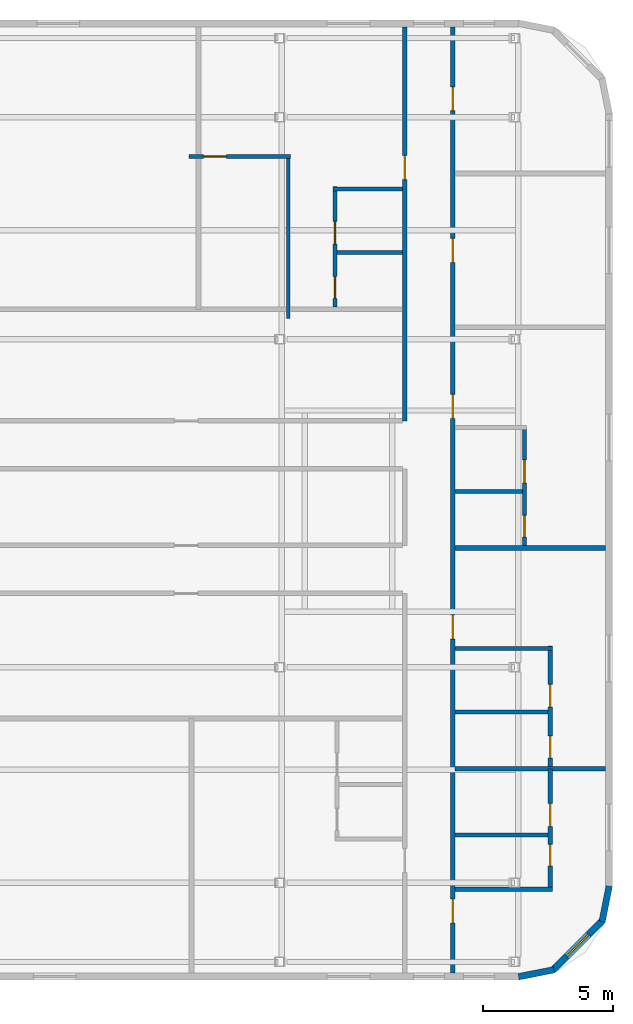
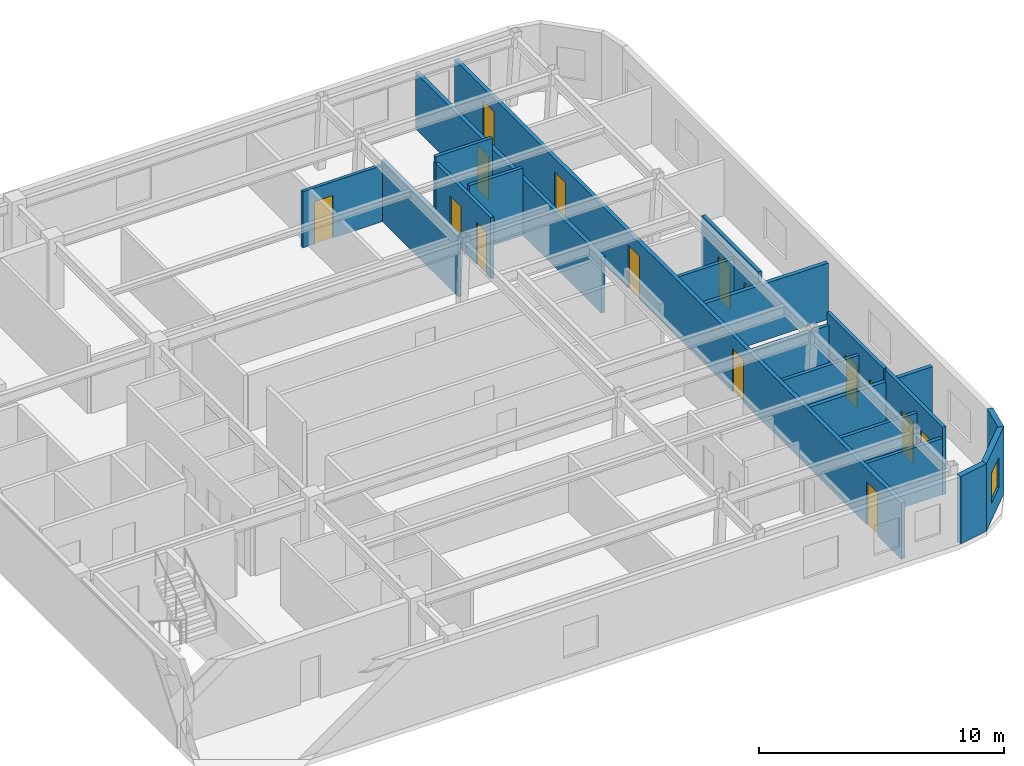
# One storey, part 4 of 6: 20 walls, 15 doors, 1 window, 16 openings.
"""IFC4 building model written with IfcOpenShell, lengths in metres."""

from ifc_helpers import new_model, si_unit, direction, frame, frame_2d, origin, place, context, subcontext, project, spatial, rectangle, extrude, material, layer, layer_set, type_object, element, fill, save


model = new_model("IFC4")

# Units and contexts
model_context = context("Model", 3, precision=1e-05, world=origin(), true_north=direction((0.0, 1.0)))
body_context = subcontext(model_context, "Body", "Model", "MODEL_VIEW")
ifc_project = project(units=[si_unit("LENGTHUNIT", "METRE"), si_unit("AREAUNIT", "SQUARE_METRE"), si_unit("VOLUMEUNIT", "CUBIC_METRE"), si_unit("PLANEANGLEUNIT", "RADIAN"), si_unit("MASSUNIT", "GRAM", prefix="KILO")], contexts=[model_context])

# Site, building, storey
site_placement = place(None, origin())
site = spatial("IfcSite", under=ifc_project, at=site_placement, CompositionType="ELEMENT")
building_placement = place(site_placement, origin())
building = spatial("IfcBuilding", under=site, at=building_placement, Name="Ochreholt Gables", CompositionType="ELEMENT")
storey_placement = place(building_placement, frame((0.0, 0.0, 274.800048828125)))
storey = spatial("IfcBuildingStorey", under=building, at=storey_placement, Name="L72", CompositionType="ELEMENT", Elevation=274.800048828125)

# Wall
ifc_material_1 = material(Name="Precast concrete 40 MPa", Category="concrete")
ifc_layer_1 = layer(ifc_material_1, 0.25, Name="Precast concrete 40 MPa")
ifc_layer_set_1 = layer_set([ifc_layer_1], Name="Precast concrete 40 MPa")
wall_type_1 = type_object("IfcWallType", Name="WALL-EXT-CNR", PredefinedType="SOLIDWALL", material=ifc_layer_set_1)
wall_1_placement = place(storey_placement, frame((58.783447265625, 5.624267578125, 0.0), z_axis=(0.0, 0.0, 1.0), x_axis=(0.980809899341, 0.19496651342, 0.0)))
element("IfcWall", 1, at=wall_1_placement, inside=storey, type_object=wall_type_1, Name="L72 Rounded Corner Wall SE-1", PredefinedType="SOLIDWALL", context=body_context, shape_type="SweptSolid", body=[
    extrude(rectangle(XDim=1.388671875, YDim=0.25, at=frame_2d((0.6943359375, 0.0))), origin(), (0.0, 0.0, 1.0), 3.35986328125),
])

# Wall, opening, window
wall_2_placement = place(storey_placement, frame((60.094970703125, 5.867919921875, 0.0), z_axis=(0.0, 0.0, 1.0), x_axis=(0.707106781187, 0.707106781187, 0.0)))
wall_2 = element("IfcWall", 2, at=wall_2_placement, inside=storey, type_object=wall_type_1, Name="L72 Rounded Corner Wall SE-2", PredefinedType="SOLIDWALL", context=body_context, shape_type="SweptSolid", body=[
    extrude(rectangle(XDim=2.7392578125, YDim=0.25, at=frame_2d((1.36962890625, 0.0))), origin(), (0.0, 0.0, 1.0), 3.35986328125),
])
opening_1_placement = place(wall_2_placement, frame((0.769775390625, 0.0, 0.85009765625)))
opening_1 = element("IfcOpeningElement", 3, at=opening_1_placement, cuts=wall_2, Name="Opening WN-3", PredefinedType="OPENING", context=body_context, shape_type="SweptSolid", body=[
    extrude(rectangle(XDim=1.199951171875, YDim=1.5, at=frame_2d((0.60009765625, 0.75))), frame((0.0, 0.135009765625, 0.0), z_axis=(0.0, -1.0, 0.0), x_axis=(1.0, 0.0, 0.0)), (0.0, 0.0, 1.0), 0.27001953125),
])
ifc_material_2 = material(Name="Triple-Glazed Thermally Broken Aluminium Window", Category="aluminium")
window_type = type_object("IfcWindowType", Name="WIN-RES-1200", PartitioningType="SINGLE_PANEL", PredefinedType="WINDOW", material=ifc_material_2)
window_placement = place(opening_1_placement, origin())
window = element("IfcWindow", 4, at=window_placement, inside=storey, type_object=window_type, Name="L72 Corner Bedroom Window SE", OverallHeight=1.5, OverallWidth=1.199951171875, PartitioningType="SINGLE_PANEL", PredefinedType="WINDOW", context=body_context, shape_type="SweptSolid", body=[
    extrude(rectangle(XDim=1.199951171875, YDim=1.5, at=frame_2d((0.60009765625, 0.75))), frame((0.0, 0.030029296875, 0.0), z_axis=(0.0, -1.0, 0.0), x_axis=(1.0, 0.0, 0.0)), (0.0, 0.0, 1.0), 0.06005859375),
])
fill(opening_1, window)

# Wall
wall_3_placement = place(storey_placement, frame((62.0048828125, 7.75439453125, 0.0), z_axis=(0.0, 0.0, 1.0), x_axis=(0.195135625965, 0.9807762678, 0.0)))
element("IfcWall", 5, at=wall_3_placement, inside=storey, type_object=wall_type_1, Name="L72 Rounded Corner Wall SE-3", PredefinedType="SOLIDWALL", context=body_context, shape_type="SweptSolid", body=[
    extrude(rectangle(XDim=1.388671875, YDim=0.25, at=frame_2d((0.6943359375, 0.0))), origin(), (0.0, 0.0, 1.0), 3.35986328125),
])

# Wall, opening, door
ifc_material_3 = material(Name="Fire-Rated Gypsum Acoustic Partition", Category="gypsum")
ifc_layer_2 = layer(ifc_material_3, 0.179931640625, Name="Fire-Rated Gypsum Acoustic Partition")
ifc_layer_set_2 = layer_set([ifc_layer_2], Name="Fire-Rated Gypsum Acoustic Partition")
wall_type_2 = type_object("IfcWallType", Name="WALL-INT-CR180", PredefinedType="STANDARD", material=ifc_layer_set_2)
wall_4_placement = place(storey_placement, frame((54.39990234375, 27.050048828125, 0.0), z_axis=(0.0, 0.0, 1.0), x_axis=(0.0, 1.0, 0.0)))
wall_4 = element("IfcWall", 6, at=wall_4_placement, inside=storey, type_object=wall_type_2, Name="L72 Interior Wall WI-C3GW4-L72", PredefinedType="STANDARD", context=body_context, shape_type="SweptSolid", body=[
    extrude(rectangle(XDim=15.179931640625, YDim=0.179931640625, at=frame_2d((7.58984375, 0.0))), origin(), (0.0, 0.0, 1.0), 2.802978515625),
])
opening_2_placement = place(wall_4_placement, frame((9.300048828125, 0.0, 0.0)))
opening_2 = element("IfcOpeningElement", 7, at=opening_2_placement, cuts=wall_4, Name="Opening D-UN1", PredefinedType="OPENING", context=body_context, shape_type="SweptSolid", body=[
    extrude(rectangle(XDim=0.919921875, YDim=2.14990234375, at=frame_2d((0.4599609375, 1.074951171875))), frame((0.0, 0.099853515625, 0.0), z_axis=(0.0, -1.0, 0.0), x_axis=(1.0, 0.0, 0.0)), (0.0, 0.0, 1.0), 0.199951171875),
])
ifc_material_4 = material(Name="Engineered Oak Timber", Category="wood")
door_type_1 = type_object("IfcDoorType", Name="DR-INT-UNT920", OperationType="NOTDEFINED", PredefinedType="DOOR", material=ifc_material_4)
door_1_placement = place(opening_2_placement, origin())
door_1 = element("IfcDoor", 8, at=door_1_placement, inside=storey, type_object=door_type_1, Name="L72 Door D-U-L72NM2-ENT", OperationType="SINGLE_SWING_RIGHT", OverallHeight=2.14990234375, OverallWidth=0.919921875, PredefinedType="DOOR", context=body_context, shape_type="SweptSolid", body=[
    extrude(rectangle(XDim=0.919921875, YDim=2.14990234375, at=frame_2d((0.4599609375, 1.074951171875))), frame((0.0, 0.02490234375, 0.0), z_axis=(0.0, -1.0, 0.0), x_axis=(1.0, 0.0, 0.0)), (0.0, 0.0, 1.0), 0.050048828125),
])
fill(opening_2, door_1)

# Wall, openings, doors
wall_5_placement = place(storey_placement, frame((56.25, 5.77001953125, 0.0), z_axis=(0.0, 0.0, 1.0), x_axis=(0.0, 1.0, 0.0)))
wall_5 = element("IfcWall", 9, at=wall_5_placement, inside=storey, type_object=wall_type_2, Name="L72 Interior Wall WI-C3GE-L72", PredefinedType="STANDARD", context=body_context, shape_type="SweptSolid", body=[
    extrude(rectangle(XDim=36.4599609375, YDim=0.179931640625, at=frame_2d((18.22998046875, 0.0))), origin(), (0.0, 0.0, 1.0), 2.802978515625),
])
opening_3_placement = place(wall_5_placement, frame((1.929931640625, 0.0, 0.0)))
opening_3 = element("IfcOpeningElement", 10, at=opening_3_placement, cuts=wall_5, Name="Opening D-UN1", PredefinedType="OPENING", context=body_context, shape_type="SweptSolid", body=[
    extrude(rectangle(XDim=0.919921875, YDim=2.14990234375, at=frame_2d((0.4599609375, 1.074951171875))), frame((0.0, 0.099853515625, 0.0), z_axis=(0.0, -1.0, 0.0), x_axis=(1.0, 0.0, 0.0)), (0.0, 0.0, 1.0), 0.199951171875),
])
opening_4_placement = place(wall_5_placement, frame((12.8701171875, 0.0, 0.0)))
opening_4 = element("IfcOpeningElement", 11, at=opening_4_placement, cuts=wall_5, Name="Opening D-UN1", PredefinedType="OPENING", context=body_context, shape_type="SweptSolid", body=[
    extrude(rectangle(XDim=0.919921875, YDim=2.14990234375, at=frame_2d((0.4599609375, 1.074951171875))), frame((0.0, 0.099853515625, 0.0), z_axis=(0.0, -1.0, 0.0), x_axis=(1.0, 0.0, 0.0)), (0.0, 0.0, 1.0), 0.199951171875),
])
opening_5_placement = place(wall_5_placement, frame((21.3798828125, 0.0, 0.0)))
opening_5 = element("IfcOpeningElement", 12, at=opening_5_placement, cuts=wall_5, Name="Opening D-UN1", PredefinedType="OPENING", context=body_context, shape_type="SweptSolid", body=[
    extrude(rectangle(XDim=0.919921875, YDim=2.14990234375, at=frame_2d((0.4599609375, 1.074951171875))), frame((0.0, 0.099853515625, 0.0), z_axis=(0.0, -1.0, 0.0), x_axis=(1.0, 0.0, 0.0)), (0.0, 0.0, 1.0), 0.199951171875),
])
opening_6_placement = place(wall_5_placement, frame((27.389892578125, 0.0, 0.0)))
opening_6 = element("IfcOpeningElement", 13, at=opening_6_placement, cuts=wall_5, Name="Opening D-UN1", PredefinedType="OPENING", context=body_context, shape_type="SweptSolid", body=[
    extrude(rectangle(XDim=0.919921875, YDim=2.14990234375, at=frame_2d((0.4599609375, 1.074951171875))), frame((0.0, 0.099853515625, 0.0), z_axis=(0.0, -1.0, 0.0), x_axis=(1.0, 0.0, 0.0)), (0.0, 0.0, 1.0), 0.199951171875),
])
opening_7_placement = place(wall_5_placement, frame((33.235107421875, 0.0, 0.0)))
opening_7 = element("IfcOpeningElement", 14, at=opening_7_placement, cuts=wall_5, Name="Opening D-UN1", PredefinedType="OPENING", context=body_context, shape_type="SweptSolid", body=[
    extrude(rectangle(XDim=0.919921875, YDim=2.14990234375, at=frame_2d((0.4599609375, 1.074951171875))), frame((0.0, 0.099853515625, 0.0), z_axis=(0.0, -1.0, 0.0), x_axis=(1.0, 0.0, 0.0)), (0.0, 0.0, 1.0), 0.199951171875),
])
door_2_placement = place(opening_3_placement, origin())
door_2 = element("IfcDoor", 15, at=door_2_placement, inside=storey, type_object=door_type_1, Name="L72 Door D-U-L72E1-ENT", OperationType="SINGLE_SWING_RIGHT", OverallHeight=2.14990234375, OverallWidth=0.919921875, PredefinedType="DOOR", context=body_context, shape_type="SweptSolid", body=[
    extrude(rectangle(XDim=0.919921875, YDim=2.14990234375, at=frame_2d((0.4599609375, 1.074951171875))), frame((0.0, 0.02490234375, 0.0), z_axis=(0.0, -1.0, 0.0), x_axis=(1.0, 0.0, 0.0)), (0.0, 0.0, 1.0), 0.050048828125),
])
fill(opening_3, door_2)
door_3_placement = place(opening_4_placement, origin())
door_3 = element("IfcDoor", 16, at=door_3_placement, inside=storey, type_object=door_type_1, Name="L72 Door D-U-L72E2-ENT", OperationType="SINGLE_SWING_LEFT", OverallHeight=2.14990234375, OverallWidth=0.919921875, PredefinedType="DOOR", context=body_context, shape_type="SweptSolid", body=[
    extrude(rectangle(XDim=0.919921875, YDim=2.14990234375, at=frame_2d((0.4599609375, 1.074951171875))), frame((0.0, 0.02490234375, 0.0), z_axis=(0.0, -1.0, 0.0), x_axis=(1.0, 0.0, 0.0)), (0.0, 0.0, 1.0), 0.050048828125),
])
fill(opening_4, door_3)
door_4_placement = place(opening_5_placement, origin())
door_4 = element("IfcDoor", 17, at=door_4_placement, inside=storey, type_object=door_type_1, Name="L72 Door D-U-L72E3-ENT", OperationType="SINGLE_SWING_RIGHT", OverallHeight=2.14990234375, OverallWidth=0.919921875, PredefinedType="DOOR", context=body_context, shape_type="SweptSolid", body=[
    extrude(rectangle(XDim=0.919921875, YDim=2.14990234375, at=frame_2d((0.4599609375, 1.074951171875))), frame((0.0, 0.02490234375, 0.0), z_axis=(0.0, -1.0, 0.0), x_axis=(1.0, 0.0, 0.0)), (0.0, 0.0, 1.0), 0.050048828125),
])
fill(opening_5, door_4)
door_5_placement = place(opening_6_placement, origin())
door_5 = element("IfcDoor", 18, at=door_5_placement, inside=storey, type_object=door_type_1, Name="L72 Door D-U-L72E4-ENT", OperationType="SINGLE_SWING_LEFT", OverallHeight=2.14990234375, OverallWidth=0.919921875, PredefinedType="DOOR", context=body_context, shape_type="SweptSolid", body=[
    extrude(rectangle(XDim=0.919921875, YDim=2.14990234375, at=frame_2d((0.4599609375, 1.074951171875))), frame((0.0, 0.02490234375, 0.0), z_axis=(0.0, -1.0, 0.0), x_axis=(1.0, 0.0, 0.0)), (0.0, 0.0, 1.0), 0.050048828125),
])
fill(opening_6, door_5)
door_6_placement = place(opening_7_placement, origin())
door_6 = element("IfcDoor", 19, at=door_6_placement, inside=storey, type_object=door_type_1, Name="L72 Door D-U-L72E5-ENT", OperationType="SINGLE_SWING_RIGHT", OverallHeight=2.14990234375, OverallWidth=0.919921875, PredefinedType="DOOR", context=body_context, shape_type="SweptSolid", body=[
    extrude(rectangle(XDim=0.919921875, YDim=2.14990234375, at=frame_2d((0.4599609375, 1.074951171875))), frame((0.0, 0.02490234375, 0.0), z_axis=(0.0, -1.0, 0.0), x_axis=(1.0, 0.0, 0.0)), (0.0, 0.0, 1.0), 0.050048828125),
])
fill(opening_7, door_6)

# Walls
ifc_material_5 = material(Name="Double-Stud Acoustic Demising Wall", Category="gypsum")
ifc_layer_3 = layer(ifc_material_5, 0.18505859375, Name="Double-Stud Acoustic Demising Wall")
ifc_layer_set_3 = layer_set([ifc_layer_3], Name="Double-Stud Acoustic Demising Wall")
wall_type_3 = type_object("IfcWallType", Name="WALL-INT-DM185", PredefinedType="PARTITIONING", material=ifc_layer_set_3)
for number, where, z_axis, x_axis, name in (
    (20, (56.340087890625, 13.639892578125, 0.0), (0.0, 0.0, 1.0), (1.0, 0.0, 0.0), "L72 Interior Wall WI-C3UDE2-L72"),
    (21, (56.340087890625, 22.14990234375, 0.0), (0.0, 0.0, 1.0), (1.0, 0.0, 0.0), "L72 Interior Wall WI-C3UDE3-L72"),
):
    element("IfcWall", number, at=place(storey_placement, frame(where, z_axis=z_axis, x_axis=x_axis)), inside=storey, type_object=wall_type_3, Name=name, PredefinedType="PARTITIONING", context=body_context, shape_type="SweptSolid", body=[
        extrude(rectangle(XDim=5.789794921875, YDim=0.18505859375, at=frame_2d((2.89501953125, 0.0))), origin(), (0.0, 0.0, 1.0), 2.802978515625),
    ])
ifc_material_6 = material(Name="Moisture-Resistant Plumbing Chase Wall", Category="gypsum")
ifc_layer_4 = layer(ifc_material_6, 0.159912109375, Name="Moisture-Resistant Plumbing Chase Wall")
ifc_layer_set_4 = layer_set([ifc_layer_4], Name="Moisture-Resistant Plumbing Chase Wall")
wall_type_4 = type_object("IfcWallType", Name="WALL-INT-PL160", PredefinedType="PLUMBINGWALL", material=ifc_layer_set_4)
wall_6_placement = place(storey_placement, frame((56.340087890625, 9.0, 0.0), z_axis=(0.0, 0.0, 1.0), x_axis=(1.0, 0.0, 0.0)))
element("IfcWall", 22, at=wall_6_placement, inside=storey, type_object=wall_type_4, Name="L72 Interior Wall WU-L72E1-WYS", PredefinedType="PLUMBINGWALL", context=body_context, shape_type="SweptSolid", body=[
    extrude(rectangle(XDim=3.744140625, YDim=0.159912109375, at=frame_2d((1.8720703125, 0.0))), origin(), (0.0, 0.0, 1.0), 2.802978515625),
])

# Wall, openings, doors
wall_7_placement = place(storey_placement, frame((60.004150390625, 8.909912109375, 0.0), z_axis=(0.0, 0.0, 1.0), x_axis=(0.0, 1.0, 0.0)))
wall_7 = element("IfcWall", 23, at=wall_7_placement, inside=storey, type_object=wall_type_4, Name="L72 Interior Wall WU-L72E1-WX", PredefinedType="PLUMBINGWALL", context=body_context, shape_type="SweptSolid", body=[
    extrude(rectangle(XDim=4.72998046875, YDim=0.159912109375, at=frame_2d((2.364990234375, 0.0))), origin(), (0.0, 0.0, 1.0), 3.35986328125),
])
opening_8_placement = place(wall_7_placement, frame((0.97998046875, 0.0, 0.0)))
opening_8 = element("IfcOpeningElement", 24, at=opening_8_placement, cuts=wall_7, Name="Opening D-BT2", PredefinedType="OPENING", context=body_context, shape_type="SweptSolid", body=[
    extrude(rectangle(XDim=0.840087890625, YDim=2.1201171875, at=frame_2d((0.419921875, 1.06005859375))), frame((0.0, 0.08984375, 0.0), z_axis=(0.0, -1.0, 0.0), x_axis=(1.0, 0.0, 0.0)), (0.0, 0.0, 1.0), 0.179931640625),
])
opening_9_placement = place(wall_7_placement, frame((2.512939453125, 0.0, 0.0)))
opening_9 = element("IfcOpeningElement", 25, at=opening_9_placement, cuts=wall_7, Name="Opening D-GN2", PredefinedType="OPENING", context=body_context, shape_type="SweptSolid", body=[
    extrude(rectangle(XDim=0.8798828125, YDim=2.1201171875, at=frame_2d((0.43994140625, 1.06005859375))), frame((0.0, 0.08984375, 0.0), z_axis=(0.0, -1.0, 0.0), x_axis=(1.0, 0.0, 0.0)), (0.0, 0.0, 1.0), 0.179931640625),
])
door_type_2 = type_object("IfcDoorType", Name="DR-INT-BTH840", OperationType="NOTDEFINED", PredefinedType="DOOR", material=ifc_material_4)
door_7_placement = place(opening_8_placement, origin())
door_7 = element("IfcDoor", 26, at=door_7_placement, inside=storey, type_object=door_type_2, Name="L72 Door D-U-L72E1-BTH", OperationType="SINGLE_SWING_LEFT", OverallHeight=2.1201171875, OverallWidth=0.840087890625, PredefinedType="DOOR", context=body_context, shape_type="SweptSolid", body=[
    extrude(rectangle(XDim=0.840087890625, YDim=2.1201171875, at=frame_2d((0.419921875, 1.06005859375))), frame((0.0, 0.02490234375, 0.0), z_axis=(0.0, -1.0, 0.0), x_axis=(1.0, 0.0, 0.0)), (0.0, 0.0, 1.0), 0.050048828125),
])
fill(opening_8, door_7)
door_type_3 = type_object("IfcDoorType", Name="DR-INT-GEN880", OperationType="NOTDEFINED", PredefinedType="DOOR", material=ifc_material_4)
door_8_placement = place(opening_9_placement, origin())
door_8 = element("IfcDoor", 27, at=door_8_placement, inside=storey, type_object=door_type_3, Name="L72 Door D-U-L72E1-KIT", OperationType="SINGLE_SWING_RIGHT", OverallHeight=2.1201171875, OverallWidth=0.8798828125, PredefinedType="DOOR", context=body_context, shape_type="SweptSolid", body=[
    extrude(rectangle(XDim=0.8798828125, YDim=2.1201171875, at=frame_2d((0.43994140625, 1.06005859375))), frame((0.0, 0.02490234375, 0.0), z_axis=(0.0, -1.0, 0.0), x_axis=(1.0, 0.0, 0.0)), (0.0, 0.0, 1.0), 0.050048828125),
])
fill(opening_9, door_8)

# Walls
wall_8_placement = place(storey_placement, frame((56.340087890625, 11.093017578125, 0.0), z_axis=(0.0, 0.0, 1.0), x_axis=(1.0, 0.0, 0.0)))
element("IfcWall", 28, at=wall_8_placement, inside=storey, type_object=wall_type_4, Name="L72 Interior Wall WU-L72E1-WM", PredefinedType="PLUMBINGWALL", context=body_context, shape_type="SweptSolid", body=[
    extrude(rectangle(XDim=3.584228515625, YDim=0.159912109375, at=frame_2d((1.7919921875, 0.0))), origin(), (0.0, 0.0, 1.0), 2.802978515625),
])
wall_9_placement = place(storey_placement, frame((56.340087890625, 18.280029296875, 0.0), z_axis=(0.0, 0.0, 1.0), x_axis=(1.0, 0.0, 0.0)))
element("IfcWall", 29, at=wall_9_placement, inside=storey, type_object=wall_type_4, Name="L72 Interior Wall WU-L72E2-WYN", PredefinedType="PLUMBINGWALL", context=body_context, shape_type="SweptSolid", body=[
    extrude(rectangle(XDim=3.744140625, YDim=0.159912109375, at=frame_2d((1.8720703125, 0.0))), origin(), (0.0, 0.0, 1.0), 2.802978515625),
])

# Wall, openings, doors
wall_10_placement = place(storey_placement, frame((60.004150390625, 13.732421875, 0.0), z_axis=(0.0, 0.0, 1.0), x_axis=(0.0, 1.0, 0.0)))
wall_10 = element("IfcWall", 30, at=wall_10_placement, inside=storey, type_object=wall_type_4, Name="L72 Interior Wall WU-L72E2-WX", PredefinedType="PLUMBINGWALL", context=body_context, shape_type="SweptSolid", body=[
    extrude(rectangle(XDim=4.6376953125, YDim=0.159912109375, at=frame_2d((2.31884765625, 0.0))), origin(), (0.0, 0.0, 1.0), 3.35986328125),
])
opening_10_placement = place(wall_10_placement, frame((0.327392578125, 0.0, 0.0)))
opening_10 = element("IfcOpeningElement", 31, at=opening_10_placement, cuts=wall_10, Name="Opening D-BT2", PredefinedType="OPENING", context=body_context, shape_type="SweptSolid", body=[
    extrude(rectangle(XDim=0.840087890625, YDim=2.1201171875, at=frame_2d((0.419921875, 1.06005859375))), frame((0.0, 0.08984375, 0.0), z_axis=(0.0, -1.0, 0.0), x_axis=(1.0, 0.0, 0.0)), (0.0, 0.0, 1.0), 0.179931640625),
])
opening_11_placement = place(wall_10_placement, frame((2.280517578125, 0.0, 0.0)))
opening_11 = element("IfcOpeningElement", 32, at=opening_11_placement, cuts=wall_10, Name="Opening D-GN2", PredefinedType="OPENING", context=body_context, shape_type="SweptSolid", body=[
    extrude(rectangle(XDim=0.8798828125, YDim=2.1201171875, at=frame_2d((0.43994140625, 1.06005859375))), frame((0.0, 0.08984375, 0.0), z_axis=(0.0, -1.0, 0.0), x_axis=(1.0, 0.0, 0.0)), (0.0, 0.0, 1.0), 0.179931640625),
])
door_9_placement = place(opening_10_placement, origin())
door_9 = element("IfcDoor", 33, at=door_9_placement, inside=storey, type_object=door_type_2, Name="L72 Door D-U-L72E2-BTH", OperationType="SINGLE_SWING_RIGHT", OverallHeight=2.1201171875, OverallWidth=0.840087890625, PredefinedType="DOOR", context=body_context, shape_type="SweptSolid", body=[
    extrude(rectangle(XDim=0.840087890625, YDim=2.1201171875, at=frame_2d((0.419921875, 1.06005859375))), frame((0.0, 0.02490234375, 0.0), z_axis=(0.0, -1.0, 0.0), x_axis=(1.0, 0.0, 0.0)), (0.0, 0.0, 1.0), 0.050048828125),
])
fill(opening_10, door_9)
door_10_placement = place(opening_11_placement, origin())
door_10 = element("IfcDoor", 34, at=door_10_placement, inside=storey, type_object=door_type_3, Name="L72 Door D-U-L72E2-KIT", OperationType="SINGLE_SWING_LEFT", OverallHeight=2.1201171875, OverallWidth=0.8798828125, PredefinedType="DOOR", context=body_context, shape_type="SweptSolid", body=[
    extrude(rectangle(XDim=0.8798828125, YDim=2.1201171875, at=frame_2d((0.43994140625, 1.06005859375))), frame((0.0, 0.02490234375, 0.0), z_axis=(0.0, -1.0, 0.0), x_axis=(1.0, 0.0, 0.0)), (0.0, 0.0, 1.0), 0.050048828125),
])
fill(opening_11, door_10)

# Wall
wall_11_placement = place(storey_placement, frame((56.340087890625, 15.822998046875, 0.0), z_axis=(0.0, 0.0, 1.0), x_axis=(1.0, 0.0, 0.0)))
element("IfcWall", 35, at=wall_11_placement, inside=storey, type_object=wall_type_4, Name="L72 Interior Wall WU-L72E2-WM", PredefinedType="PLUMBINGWALL", context=body_context, shape_type="SweptSolid", body=[
    extrude(rectangle(XDim=3.584228515625, YDim=0.159912109375, at=frame_2d((1.7919921875, 0.0))), origin(), (0.0, 0.0, 1.0), 2.802978515625),
])

# Wall, openings, doors
wall_12_placement = place(storey_placement, frame((59.01806640625, 22.242431640625, 0.0), z_axis=(0.0, 0.0, 1.0), x_axis=(0.0, 1.0, 0.0)))
wall_12 = element("IfcWall", 36, at=wall_12_placement, inside=storey, type_object=wall_type_4, Name="L72 Interior Wall WU-L72E3-WX", PredefinedType="PLUMBINGWALL", context=body_context, shape_type="SweptSolid", body=[
    extrude(rectangle(XDim=4.637451171875, YDim=0.159912109375, at=frame_2d((2.31884765625, 0.0))), origin(), (0.0, 0.0, 1.0), 3.35986328125),
])
opening_12_placement = place(wall_12_placement, frame((0.327392578125, 0.0, 0.0)))
opening_12 = element("IfcOpeningElement", 37, at=opening_12_placement, cuts=wall_12, Name="Opening D-BT2", PredefinedType="OPENING", context=body_context, shape_type="SweptSolid", body=[
    extrude(rectangle(XDim=0.840087890625, YDim=2.1201171875, at=frame_2d((0.419921875, 1.06005859375))), frame((0.0, 0.08984375, 0.0), z_axis=(0.0, -1.0, 0.0), x_axis=(1.0, 0.0, 0.0)), (0.0, 0.0, 1.0), 0.179931640625),
])
opening_13_placement = place(wall_12_placement, frame((2.42041015625, 0.0, 0.0)))
opening_13 = element("IfcOpeningElement", 38, at=opening_13_placement, cuts=wall_12, Name="Opening D-GN2", PredefinedType="OPENING", context=body_context, shape_type="SweptSolid", body=[
    extrude(rectangle(XDim=0.8798828125, YDim=2.1201171875, at=frame_2d((0.43994140625, 1.06005859375))), frame((0.0, 0.08984375, 0.0), z_axis=(0.0, -1.0, 0.0), x_axis=(1.0, 0.0, 0.0)), (0.0, 0.0, 1.0), 0.179931640625),
])
door_11_placement = place(opening_12_placement, origin())
door_11 = element("IfcDoor", 39, at=door_11_placement, inside=storey, type_object=door_type_2, Name="L72 Door D-U-L72E3-BTH", OperationType="SINGLE_SWING_LEFT", OverallHeight=2.1201171875, OverallWidth=0.840087890625, PredefinedType="DOOR", context=body_context, shape_type="SweptSolid", body=[
    extrude(rectangle(XDim=0.840087890625, YDim=2.1201171875, at=frame_2d((0.419921875, 1.06005859375))), frame((0.0, 0.02490234375, 0.0), z_axis=(0.0, -1.0, 0.0), x_axis=(1.0, 0.0, 0.0)), (0.0, 0.0, 1.0), 0.050048828125),
])
fill(opening_12, door_11)
door_12_placement = place(opening_13_placement, origin())
door_12 = element("IfcDoor", 40, at=door_12_placement, inside=storey, type_object=door_type_3, Name="L72 Door D-U-L72E3-KIT", OperationType="SINGLE_SWING_RIGHT", OverallHeight=2.1201171875, OverallWidth=0.8798828125, PredefinedType="DOOR", context=body_context, shape_type="SweptSolid", body=[
    extrude(rectangle(XDim=0.8798828125, YDim=2.1201171875, at=frame_2d((0.43994140625, 1.06005859375))), frame((0.0, 0.02490234375, 0.0), z_axis=(0.0, -1.0, 0.0), x_axis=(1.0, 0.0, 0.0)), (0.0, 0.0, 1.0), 0.050048828125),
])
fill(opening_13, door_12)

# Walls
wall_13_placement = place(storey_placement, frame((56.340087890625, 24.3330078125, 0.0), z_axis=(0.0, 0.0, 1.0), x_axis=(1.0, 0.0, 0.0)))
element("IfcWall", 41, at=wall_13_placement, inside=storey, type_object=wall_type_4, Name="L72 Interior Wall WU-L72E3-WM", PredefinedType="PLUMBINGWALL", context=body_context, shape_type="SweptSolid", body=[
    extrude(rectangle(XDim=2.597900390625, YDim=0.159912109375, at=frame_2d((1.298828125, 0.0))), origin(), (0.0, 0.0, 1.0), 2.802978515625),
])
wall_14_placement = place(storey_placement, frame((51.6279296875, 35.989990234375, 0.0), z_axis=(0.0, 0.0, 1.0), x_axis=(1.0, 0.0, 0.0)))
element("IfcWall", 42, at=wall_14_placement, inside=storey, type_object=wall_type_4, Name="L72 Interior Wall WU-L72NM2-WYN", PredefinedType="PLUMBINGWALL", context=body_context, shape_type="SweptSolid", body=[
    extrude(rectangle(XDim=2.68212890625, YDim=0.159912109375, at=frame_2d((1.341064453125, 0.0))), origin(), (0.0, 0.0, 1.0), 3.35986328125),
])

# Wall, openings, doors
wall_15_placement = place(storey_placement, frame((51.7080078125, 31.4423828125, 0.0), z_axis=(0.0, 0.0, 1.0), x_axis=(0.0, 1.0, 0.0)))
wall_15 = element("IfcWall", 43, at=wall_15_placement, inside=storey, type_object=wall_type_4, Name="L72 Interior Wall WU-L72NM2-WX", PredefinedType="PLUMBINGWALL", context=body_context, shape_type="SweptSolid", body=[
    extrude(rectangle(XDim=4.6376953125, YDim=0.159912109375, at=frame_2d((2.31884765625, 0.0))), origin(), (0.0, 0.0, 1.0), 3.0390625),
])
opening_14_placement = place(wall_15_placement, frame((0.327392578125, 0.0, 0.0)))
opening_14 = element("IfcOpeningElement", 44, at=opening_14_placement, cuts=wall_15, Name="Opening D-BT2", PredefinedType="OPENING", context=body_context, shape_type="SweptSolid", body=[
    extrude(rectangle(XDim=0.840087890625, YDim=2.1201171875, at=frame_2d((0.419921875, 1.06005859375))), frame((0.0, 0.08984375, 0.0), z_axis=(0.0, -1.0, 0.0), x_axis=(1.0, 0.0, 0.0)), (0.0, 0.0, 1.0), 0.179931640625),
])
opening_15_placement = place(wall_15_placement, frame((2.42041015625, 0.0, 0.0)))
opening_15 = element("IfcOpeningElement", 45, at=opening_15_placement, cuts=wall_15, Name="Opening D-GN2", PredefinedType="OPENING", context=body_context, shape_type="SweptSolid", body=[
    extrude(rectangle(XDim=0.8798828125, YDim=2.1201171875, at=frame_2d((0.43994140625, 1.06005859375))), frame((0.0, 0.08984375, 0.0), z_axis=(0.0, -1.0, 0.0), x_axis=(1.0, 0.0, 0.0)), (0.0, 0.0, 1.0), 0.179931640625),
])
door_13_placement = place(opening_14_placement, origin())
door_13 = element("IfcDoor", 46, at=door_13_placement, inside=storey, type_object=door_type_2, Name="L72 Door D-U-L72NM2-BTH", OperationType="SINGLE_SWING_LEFT", OverallHeight=2.1201171875, OverallWidth=0.840087890625, PredefinedType="DOOR", context=body_context, shape_type="SweptSolid", body=[
    extrude(rectangle(XDim=0.840087890625, YDim=2.1201171875, at=frame_2d((0.419921875, 1.06005859375))), frame((0.0, 0.02490234375, 0.0), z_axis=(0.0, -1.0, 0.0), x_axis=(1.0, 0.0, 0.0)), (0.0, 0.0, 1.0), 0.050048828125),
])
fill(opening_14, door_13)
door_14_placement = place(opening_15_placement, origin())
door_14 = element("IfcDoor", 47, at=door_14_placement, inside=storey, type_object=door_type_3, Name="L72 Door D-U-L72NM2-KIT", OperationType="SINGLE_SWING_RIGHT", OverallHeight=2.1201171875, OverallWidth=0.8798828125, PredefinedType="DOOR", context=body_context, shape_type="SweptSolid", body=[
    extrude(rectangle(XDim=0.8798828125, YDim=2.1201171875, at=frame_2d((0.43994140625, 1.06005859375))), frame((0.0, 0.02490234375, 0.0), z_axis=(0.0, -1.0, 0.0), x_axis=(1.0, 0.0, 0.0)), (0.0, 0.0, 1.0), 0.050048828125),
])
fill(opening_15, door_14)

# Walls
wall_16_placement = place(storey_placement, frame((51.7880859375, 33.532958984375, 0.0), z_axis=(0.0, 0.0, 1.0), x_axis=(1.0, 0.0, 0.0)))
element("IfcWall", 48, at=wall_16_placement, inside=storey, type_object=wall_type_4, Name="L72 Interior Wall WU-L72NM2-WM", PredefinedType="PLUMBINGWALL", context=body_context, shape_type="SweptSolid", body=[
    extrude(rectangle(XDim=2.52197265625, YDim=0.159912109375, at=frame_2d((1.260986328125, 0.0))), origin(), (0.0, 0.0, 1.0), 3.35986328125),
])
ifc_material_7 = material(Name="Lightweight Stud Partition", Category="gypsum")
ifc_layer_5 = layer(ifc_material_7, 0.14501953125, Name="Lightweight Stud Partition")
ifc_layer_set_5 = layer_set([ifc_layer_5], Name="Lightweight Stud Partition")
wall_type_5 = type_object("IfcWallType", Name="WALL-INT-PT145", PredefinedType="PARTITIONING", material=ifc_layer_set_5)
wall_17_placement = place(storey_placement, frame((49.907958984375, 30.989990234375, 0.0), z_axis=(0.0, 0.0, 1.0), x_axis=(0.0, 1.0, 0.0)))
element("IfcWall", 49, at=wall_17_placement, inside=storey, type_object=wall_type_5, Name="L72 Interior Wall WU-L72NM2-STW", PredefinedType="PARTITIONING", context=body_context, shape_type="SweptSolid", body=[
    extrude(rectangle(XDim=6.25, YDim=0.14501953125, at=frame_2d((3.125, 0.0))), origin(), (0.0, 0.0, 1.0), 3.0390625),
])

# Wall, opening, door
wall_18_placement = place(storey_placement, frame((46.090087890625, 37.239990234375, 0.0), z_axis=(0.0, 0.0, 1.0), x_axis=(1.0, 0.0, 0.0)))
wall_18 = element("IfcWall", 50, at=wall_18_placement, inside=storey, type_object=wall_type_5, Name="L72 Interior Wall WU-L72NM2-STN", PredefinedType="PARTITIONING", context=body_context, shape_type="SweptSolid", body=[
    extrude(rectangle(XDim=3.89794921875, YDim=0.14501953125, at=frame_2d((1.948974609375, 0.0))), origin(), (0.0, 0.0, 1.0), 2.802978515625),
])
opening_16_placement = place(wall_18_placement, frame((0.550048828125, 0.0, 0.0)))
opening_16 = element("IfcOpeningElement", 51, at=opening_16_placement, cuts=wall_18, Name="Opening D-GN2", PredefinedType="OPENING", context=body_context, shape_type="SweptSolid", body=[
    extrude(rectangle(XDim=0.8798828125, YDim=2.1201171875, at=frame_2d((0.43994140625, 1.06005859375))), frame((0.0, 0.08251953125, 0.0), z_axis=(0.0, -1.0, 0.0), x_axis=(1.0, 0.0, 0.0)), (0.0, 0.0, 1.0), 0.1650390625),
])
door_15_placement = place(opening_16_placement, origin())
door_15 = element("IfcDoor", 52, at=door_15_placement, inside=storey, type_object=door_type_3, Name="L72 Door D-U-L72NM2-STD", OperationType="SINGLE_SWING_LEFT", OverallHeight=2.1201171875, OverallWidth=0.8798828125, PredefinedType="DOOR", context=body_context, shape_type="SweptSolid", body=[
    extrude(rectangle(XDim=0.8798828125, YDim=2.1201171875, at=frame_2d((0.43994140625, 1.06005859375))), frame((0.0, 0.02490234375, 0.0), z_axis=(0.0, -1.0, 0.0), x_axis=(1.0, 0.0, 0.0)), (0.0, 0.0, 1.0), 0.050048828125),
])
fill(opening_16, door_15)

save(model, "model.ifc")
